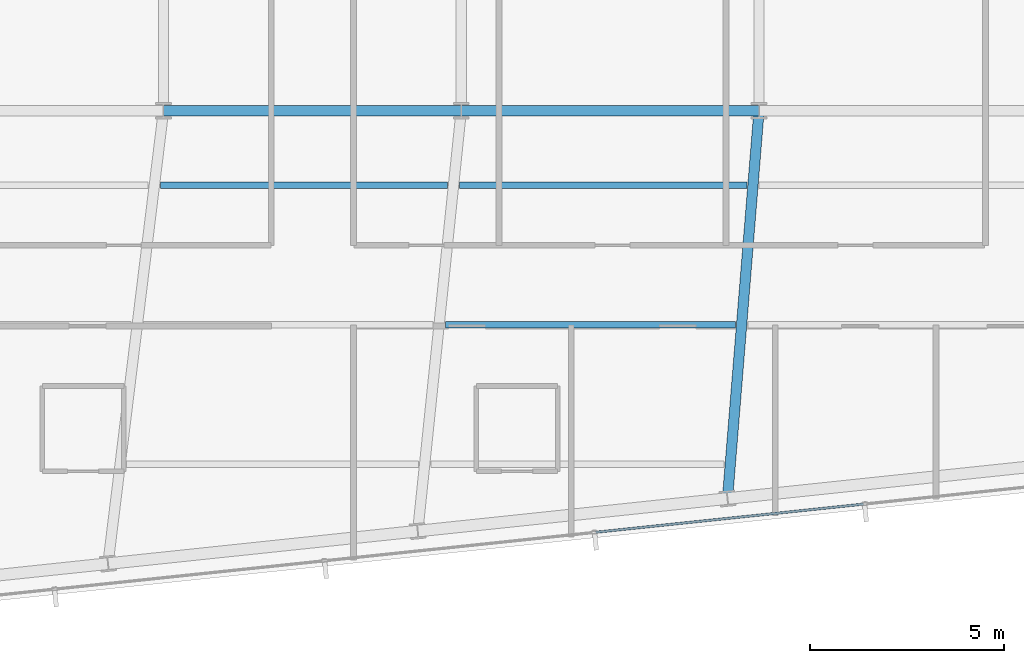
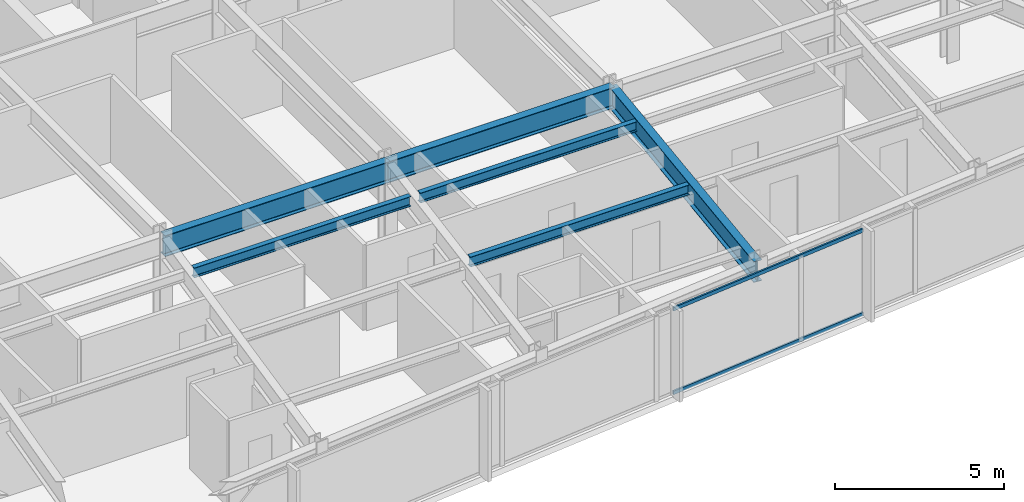
# One storey, part 9 of 32: 6 beams, 2 members, 1 element without a shape of its own.
"""IFC4 building model written with IfcOpenShell, lengths in metres."""

from ifc_helpers import new_model, si_unit, direction, frame, origin, origin_2d, place, context, subcontext, project, spatial, hollow_rectangle, i_section, extrude, material, material_profile, profile_set, type_object, element, aggregate, save


model = new_model("IFC4")

# Units and contexts
model_context = context("Model", 3, precision=1e-05, world=origin(), true_north=direction((0.0, 1.0)))
body_context = subcontext(model_context, "Body", "Model", "MODEL_VIEW")
ifc_project = project(units=[si_unit("LENGTHUNIT", "METRE"), si_unit("AREAUNIT", "SQUARE_METRE"), si_unit("VOLUMEUNIT", "CUBIC_METRE"), si_unit("PLANEANGLEUNIT", "RADIAN"), si_unit("MASSUNIT", "GRAM", prefix="KILO")], contexts=[model_context])

# Site, building, storey
site_placement = place(None, origin())
site = spatial("IfcSite", under=ifc_project, at=site_placement, CompositionType="ELEMENT")
building_placement = place(site_placement, origin())
building = spatial("IfcBuilding", under=site, at=building_placement, Name="Yelkora Congress Tower", CompositionType="ELEMENT")
storey_placement = place(building_placement, frame((0.0, 0.0, 214.39990234375)))
storey = spatial("IfcBuildingStorey", under=building, at=storey_placement, Name="L59", CompositionType="ELEMENT", Elevation=214.39990234375)

# Beams
ifc_material_1 = material(Name="Steel S355J2", Category="steel")
ifc_material_profile_1 = material_profile(ifc_material_1, i_section(OverallWidth=0.26708984375, OverallDepth=0.761962890625, WebThickness=0.014404296875, FlangeThickness=0.021484375, FilletRadius=0.01708984375, at=origin_2d()), Name="IPE 750x173")
ifc_profile_set_1 = profile_set([ifc_material_profile_1], Name="Steel S355J2")
beam_type_1 = type_object("IfcBeamType", Name="BM-GIRD-IPE750", PredefinedType="BEAM", material=ifc_profile_set_1)
beam_1_placement = place(storey_placement, frame((30.719970703125, 25.199951171875, 2.69921875), z_axis=(1.0, 0.0, 0.0), x_axis=(0.0, 1.0, 0.0)))
element("IfcBeam", 1, at=beam_1_placement, inside=storey, type_object=beam_type_1, Name="L59 Spine Grid D Girder 3", PredefinedType="BEAM", context=body_context, shape_type="SweptSolid", body=[
    extrude(i_section(OverallWidth=0.26708984375, OverallDepth=0.761962890625, WebThickness=0.014404296875, FlangeThickness=0.021484375, FilletRadius=0.01708984375, at=origin_2d()), origin(), (0.0, 0.0, 1.0), 7.679931640625),
])
beam_2_placement = place(storey_placement, frame((38.39990234375, 25.199951171875, 2.69921875), z_axis=(1.0, 0.0, 0.0), x_axis=(0.0, 1.0, 0.0)))
element("IfcBeam", 2, at=beam_2_placement, inside=storey, type_object=beam_type_1, Name="L59 Spine Grid D Girder 4", PredefinedType="BEAM", context=body_context, shape_type="SweptSolid", body=[
    extrude(i_section(OverallWidth=0.26708984375, OverallDepth=0.761962890625, WebThickness=0.014404296875, FlangeThickness=0.021484375, FilletRadius=0.01708984375, at=origin_2d()), origin(), (0.0, 0.0, 1.0), 7.68017578125),
])
beam_3_placement = place(storey_placement, frame((45.26708984375, 15.197509765625, 2.69921875), z_axis=(0.081011831965, 0.996713139816, 0.0), x_axis=(-0.996713139816, 0.081011831965, 0.0)))
element("IfcBeam", 3, at=beam_3_placement, inside=storey, type_object=beam_type_1, Name="L59 Primary Frame Girder S04", PredefinedType="BEAM", context=body_context, shape_type="SweptSolid", body=[
    extrude(i_section(OverallWidth=0.26708984375, OverallDepth=0.761962890625, WebThickness=0.014404296875, FlangeThickness=0.021484375, FilletRadius=0.01708984375, at=origin_2d()), origin(), (0.0, 0.0, 1.0), 10.035400390625),
])
ifc_material_profile_2 = material_profile(ifc_material_1, i_section(OverallWidth=0.169921875, OverallDepth=0.360107421875, WebThickness=0.008056640625, FlangeThickness=0.0126953125, FilletRadius=0.01806640625, at=origin_2d()), Name="IPE 360")
ifc_profile_set_2 = profile_set([ifc_material_profile_2], Name="Steel S355J2")
beam_type_2 = type_object("IfcBeamType", Name="BM-JOIST-IPE360", PredefinedType="JOIST", material=ifc_profile_set_2)
beam_4_placement = place(storey_placement, frame((37.988525390625, 19.678466796875, 2.900146484375), z_axis=(1.0, 0.0, 0.0), x_axis=(0.0, 1.0, 0.0)))
element("IfcBeam", 4, at=beam_4_placement, inside=storey, type_object=beam_type_2, Name="L59 Composite Floor Joist 5", PredefinedType="JOIST", context=body_context, shape_type="SweptSolid", body=[
    extrude(i_section(OverallWidth=0.169921875, OverallDepth=0.360107421875, WebThickness=0.008056640625, FlangeThickness=0.0126953125, FilletRadius=0.01806640625, at=origin_2d()), origin(), (0.0, 0.0, 1.0), 7.482666015625),
])
beam_5_placement = place(storey_placement, frame((30.64453125, 23.278564453125, 2.900146484375), z_axis=(1.0, 0.0, 0.0), x_axis=(0.0, 1.0, 0.0)))
element("IfcBeam", 5, at=beam_5_placement, inside=storey, type_object=beam_type_2, Name="L59 Composite Floor Joist 10", PredefinedType="JOIST", context=body_context, shape_type="SweptSolid", body=[
    extrude(i_section(OverallWidth=0.169921875, OverallDepth=0.360107421875, WebThickness=0.008056640625, FlangeThickness=0.0126953125, FilletRadius=0.01806640625, at=origin_2d()), origin(), (0.0, 0.0, 1.0), 7.396484375),
])
beam_6_placement = place(storey_placement, frame((38.361083984375, 23.278564453125, 2.900146484375), z_axis=(1.0, 0.0, 0.0), x_axis=(0.0, 1.0, 0.0)))
element("IfcBeam", 6, at=beam_6_placement, inside=storey, type_object=beam_type_2, Name="L59 Composite Floor Joist 11", PredefinedType="JOIST", context=body_context, shape_type="SweptSolid", body=[
    extrude(i_section(OverallWidth=0.169921875, OverallDepth=0.360107421875, WebThickness=0.008056640625, FlangeThickness=0.0126953125, FilletRadius=0.01806640625, at=origin_2d()), origin(), (0.0, 0.0, 1.0), 7.40283203125),
])

# Curtain wall, members
ifc_material_2 = material(Name="Anodised aluminium and insulated glass", Category="aluminium")
curtain_wall_type = type_object("IfcCurtainWallType", Name="CW-SYS-B4", PredefinedType="NOTDEFINED", material=ifc_material_2)
curtain_wall_placement = place(storey_placement, origin())
curtain_wall = element("IfcCurtainWall", 7, at=curtain_wall_placement, inside=storey, type_object=curtain_wall_type, Name="L59 Unitised Curtain Wall 20", PredefinedType="NOTDEFINED")
ifc_material_3 = material(Name="Anodised aluminium 6063-T6", Category="aluminium")
ifc_material_profile_3 = material_profile(ifc_material_3, hollow_rectangle(XDim=0.06005859375, YDim=0.1298828125, WallThickness=0.00390625, at=origin_2d()), Name="ALU 60x130x4")
ifc_profile_set_3 = profile_set([ifc_material_profile_3], Name="Anodised aluminium 6063-T6")
member_type = type_object("IfcMemberType", Name="MEM-TR-B4", PredefinedType="USERDEFINED", material=ifc_profile_set_3)
member_1_placement = place(storey_placement, frame((48.770263671875, 15.052978515625, 0.030029296875), z_axis=(-0.99452356298, -0.104512595784, 0.0), x_axis=(0.104512595784, -0.99452356298, 0.0)))
member_1 = element("IfcMember", 8, at=member_1_placement, type_object=member_type, Name="CW-B4 transom 4.1", ObjectType="TRANSOM", PredefinedType="USERDEFINED", context=body_context, shape_type="SweptSolid", body=[
    extrude(hollow_rectangle(XDim=0.06005859375, YDim=0.1298828125, WallThickness=0.00390625, at=origin_2d()), origin(), (0.0, 0.0, 1.0), 6.93798828125),
])
member_2_placement = place(storey_placement, frame((48.770263671875, 15.052978515625, 3.050048828125), z_axis=(-0.99452356298, -0.104512595784, 0.0), x_axis=(0.104512595784, -0.99452356298, 0.0)))
member_2 = element("IfcMember", 9, at=member_2_placement, type_object=member_type, Name="CW-B4 transom 4.2", ObjectType="TRANSOM", PredefinedType="USERDEFINED", context=body_context, shape_type="SweptSolid", body=[
    extrude(hollow_rectangle(XDim=0.06005859375, YDim=0.1298828125, WallThickness=0.00390625, at=origin_2d()), origin(), (0.0, 0.0, 1.0), 6.93798828125),
])
aggregate(curtain_wall, [member_1, member_2])

save(model, "model.ifc")
